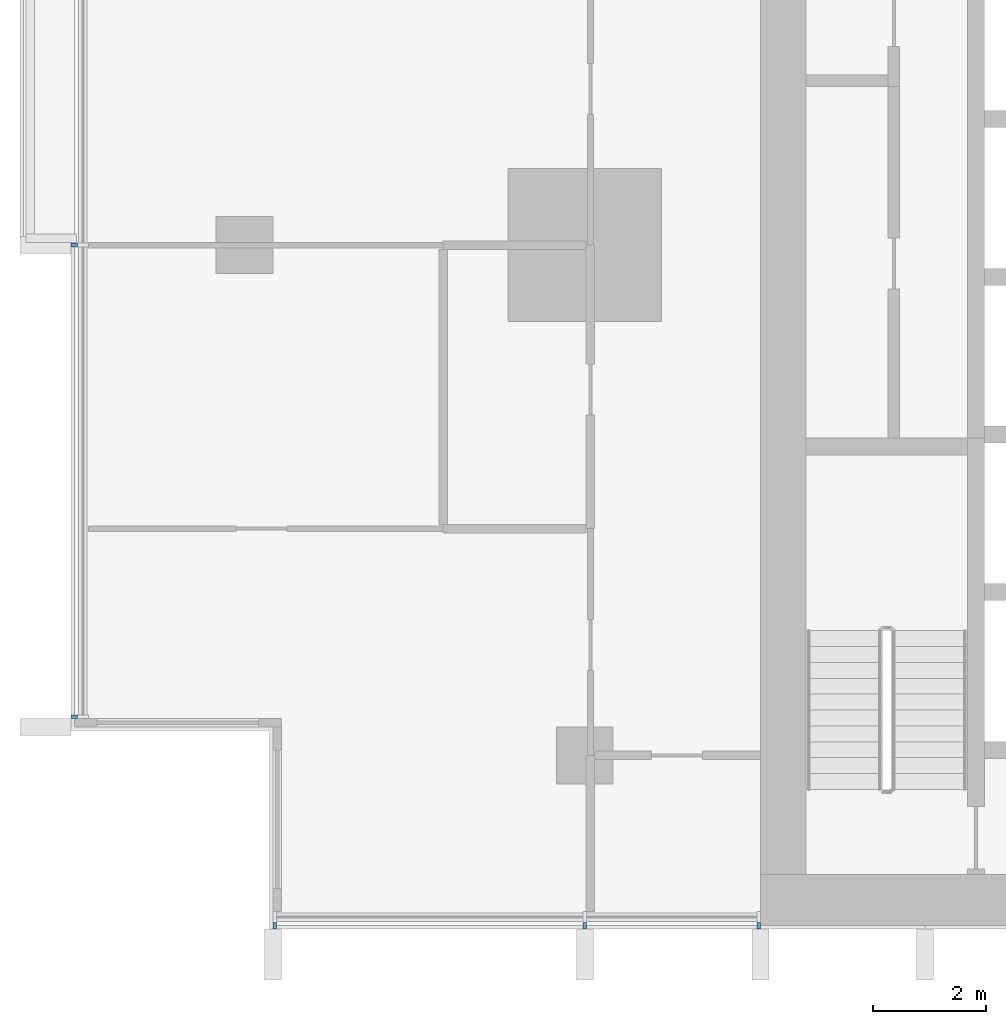
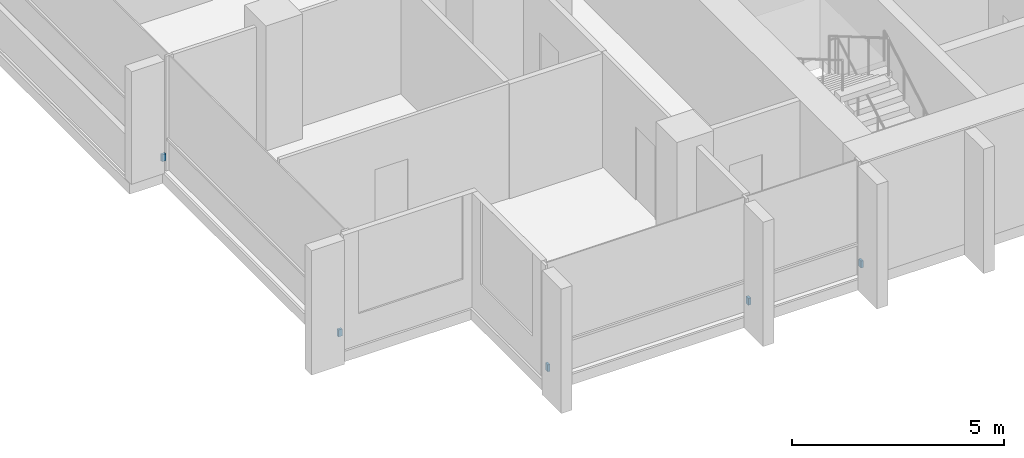
# One storey, part 14 of 18: 5 discrete accessories.
"""IFC4 building model written with IfcOpenShell, lengths in metres."""

from ifc_helpers import new_model, si_unit, direction, frame, origin, origin_2d, place, context, subcontext, project, spatial, rectangle, extrude, material, type_object, element, save


model = new_model("IFC4")

# Units and contexts
model_context = context("Model", 3, precision=1e-05, world=origin(), true_north=direction((0.0, 1.0)))
body_context = subcontext(model_context, "Body", "Model", "MODEL_VIEW")
ifc_project = project(units=[si_unit("LENGTHUNIT", "METRE"), si_unit("AREAUNIT", "SQUARE_METRE"), si_unit("VOLUMEUNIT", "CUBIC_METRE"), si_unit("PLANEANGLEUNIT", "RADIAN"), si_unit("MASSUNIT", "GRAM", prefix="KILO")], contexts=[model_context])

# Site, building, storey
site_placement = place(None, origin())
site = spatial("IfcSite", under=ifc_project, at=site_placement, CompositionType="ELEMENT")
building_placement = place(site_placement, origin())
building = spatial("IfcBuilding", under=site, at=building_placement, Name="Finial Court Residences", CompositionType="ELEMENT")
storey_placement = place(building_placement, frame((0.0, 0.0, 84.699951171875)))
storey = spatial("IfcBuildingStorey", under=building, at=storey_placement, Name="L20", CompositionType="ELEMENT", Elevation=84.699951171875)

# Discrete accessories
ifc_material = material(Name="Stainless steel 316", Category="steel")
discrete_accessory_type = type_object("IfcDiscreteAccessoryType", Name="Fin bracket, stainless steel 65 x 110 x 200", PredefinedType="BRACKET", material=ifc_material)
for number, where, z_axis, x_axis, name in (
    (1, (-21.967529296875, -25.5048828125, 0.30029296875), (0.0, 0.0, 1.0), (1.0, 0.0, 0.0), "E-L20-FIN-S16-BRK"),
    (2, (-16.5, -25.5048828125, 0.30029296875), (0.0, 0.0, 1.0), (1.0, 0.0, 0.0), "E-L20-FIN-S17-BRK"),
    (3, (-13.4326171875, -25.5048828125, 0.30029296875), (0.0, 0.0, 1.0), (1.0, 0.0, 0.0), "E-L20-FIN-S18-BRK"),
):
    element("IfcDiscreteAccessory", number, at=place(storey_placement, frame(where, z_axis=z_axis, x_axis=x_axis)), inside=storey, type_object=discrete_accessory_type, Name=name, PredefinedType="BRACKET", context=body_context, shape_type="SweptSolid", body=[
        extrude(rectangle(XDim=0.06494140625, YDim=0.110107421875, at=origin_2d()), origin(), (0.0, 0.0, 1.0), 0.199951171875),
    ])
for number, where, z_axis, x_axis, name in (
    (4, (-25.5048828125, -21.8173828125, 0.30029296875), (0.0, 0.0, 1.0), (1.0, 0.0, 0.0), "E-L20-FIN-W26-BRK"),
    (5, (-25.5048828125, -13.5, 0.30029296875), (0.0, 0.0, 1.0), (1.0, 0.0, 0.0), "E-L20-FIN-W27-BRK"),
):
    element("IfcDiscreteAccessory", number, at=place(storey_placement, frame(where, z_axis=z_axis, x_axis=x_axis)), inside=storey, type_object=discrete_accessory_type, Name=name, PredefinedType="BRACKET", context=body_context, shape_type="SweptSolid", body=[
        extrude(rectangle(XDim=0.110107421875, YDim=0.06494140625, at=origin_2d()), origin(), (0.0, 0.0, 1.0), 0.199951171875),
    ])

save(model, "model.ifc")
